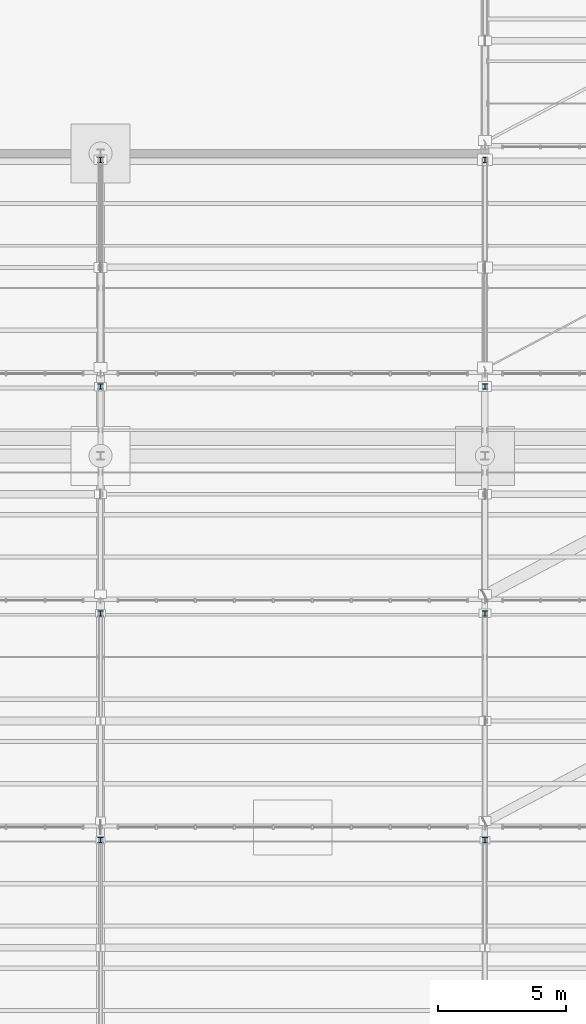
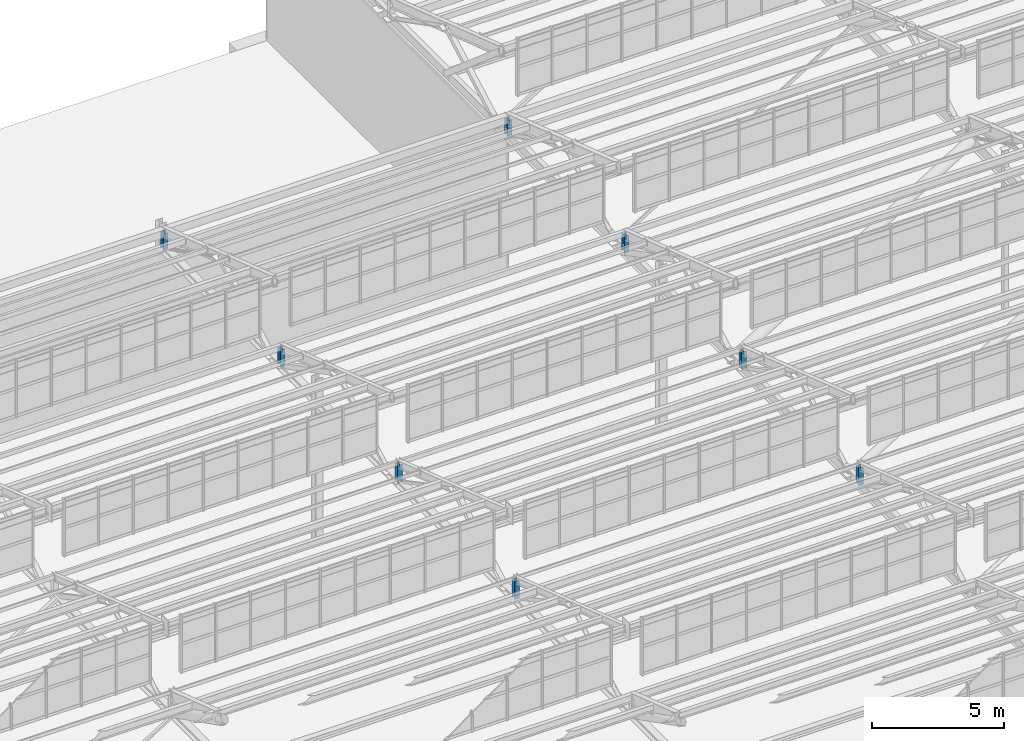
# One storey, part 151 of 285: 8 members.
"""IFC4 building model written with IfcOpenShell, lengths in metres."""

from ifc_helpers import new_model, si_unit, direction, frame, origin, origin_2d, place, context, subcontext, project, spatial, i_section, extrude, material, material_profile, profile_set, type_object, element, save


model = new_model("IFC4")

# Units and contexts
model_context = context("Model", 3, precision=1e-05, world=origin(), true_north=direction((0.0, 1.0)))
body_context = subcontext(model_context, "Body", "Model", "MODEL_VIEW")
ifc_project = project(units=[si_unit("LENGTHUNIT", "METRE"), si_unit("AREAUNIT", "SQUARE_METRE"), si_unit("VOLUMEUNIT", "CUBIC_METRE"), si_unit("PLANEANGLEUNIT", "RADIAN"), si_unit("MASSUNIT", "GRAM", prefix="KILO")], contexts=[model_context])

# Site, building, storey
site_placement = place(None, origin())
site = spatial("IfcSite", under=ifc_project, at=site_placement, CompositionType="ELEMENT")
building_placement = place(site_placement, origin())
building = spatial("IfcBuilding", under=site, at=building_placement, Name="Solanera Park Tramway Depot", CompositionType="ELEMENT")
storey_placement = place(building_placement, origin())
storey = spatial("IfcBuildingStorey", under=building, at=storey_placement, Name="L00", CompositionType="ELEMENT", Elevation=0.0)

# Members
ifc_material = material(Name="Steel AS/NZS 3679.1 Grade 350", Category="steel")
ifc_material_profile = material_profile(ifc_material, i_section(OverallWidth=0.205078125, OverallDepth=0.209716796875, WebThickness=0.00927734375, FlangeThickness=0.01416015625, at=origin_2d()), Name="200UC59.5")
ifc_profile_set = profile_set([ifc_material_profile], Name="Steel AS/NZS 3679.1 Grade 350")
member_type = type_object("IfcMemberType", Name="Roof Gantry Compression Strut 200UC59.5", PredefinedType="STRUT", material=ifc_profile_set)
member_1_placement = place(storey_placement, frame((75.0, 99.5, 6.5), z_axis=(0.0, 0.0, 1.0), x_axis=(1.0, 0.0, 0.0)))
element("IfcMember", 1, at=member_1_placement, inside=storey, type_object=member_type, Name="Sawtooth ROOF TRUSS Valley Post 200UC59.5 #0046", PredefinedType="STRUT", context=body_context, shape_type="SweptSolid", body=[
    extrude(i_section(OverallWidth=0.205078125, OverallDepth=0.209716796875, WebThickness=0.00927734375, FlangeThickness=0.01416015625, at=origin_2d()), origin(), (0.0, 0.0, 1.0), 0.83740234375),
])
for number, where, z_axis, x_axis, name in (
    (2, (90.0, 99.5, 6.5), (0.0, 0.0, 1.0), (1.0, 0.0, 0.0), "Sawtooth ROOF TRUSS Valley Post 200UC59.5 #0047"),
    (3, (75.0, 108.35009765625, 6.5), (0.0, 0.0, 1.0), (1.0, 0.0, 0.0), "Sawtooth ROOF TRUSS Valley Post 200UC59.5 #0057"),
):
    element("IfcMember", number, at=place(storey_placement, frame(where, z_axis=z_axis, x_axis=x_axis)), inside=storey, type_object=member_type, Name=name, PredefinedType="STRUT", context=body_context, shape_type="SweptSolid", body=[
        extrude(i_section(OverallWidth=0.205078125, OverallDepth=0.209716796875, WebThickness=0.00927734375, FlangeThickness=0.01416015625, at=origin_2d()), origin(), (0.0, 0.0, 1.0), 0.81298828125),
    ])
for number, where, z_axis, x_axis, name in (
    (4, (90.0, 108.35009765625, 6.5), (0.0, 0.0, 1.0), (1.0, 0.0, 0.0), "Sawtooth ROOF TRUSS Valley Post 200UC59.5 #0058"),
    (5, (75.0, 117.199951171875, 6.5), (0.0, 0.0, 1.0), (1.0, 0.0, 0.0), "Sawtooth ROOF TRUSS Valley Post 200UC59.5 #0068"),
):
    element("IfcMember", number, at=place(storey_placement, frame(where, z_axis=z_axis, x_axis=x_axis)), inside=storey, type_object=member_type, Name=name, PredefinedType="STRUT", context=body_context, shape_type="SweptSolid", body=[
        extrude(i_section(OverallWidth=0.205078125, OverallDepth=0.209716796875, WebThickness=0.00927734375, FlangeThickness=0.01416015625, at=origin_2d()), origin(), (0.0, 0.0, 1.0), 0.78759765625),
    ])
for number, where, z_axis, x_axis, name in (
    (6, (90.0, 117.199951171875, 6.5), (0.0, 0.0, 1.0), (1.0, 0.0, 0.0), "Sawtooth ROOF TRUSS Valley Post 200UC59.5 #0069"),
    (7, (75.0, 126.050048828125, 6.5), (0.0, 0.0, 1.0), (1.0, 0.0, 0.0), "Sawtooth ROOF TRUSS Valley Post 200UC59.5 #0079"),
):
    element("IfcMember", number, at=place(storey_placement, frame(where, z_axis=z_axis, x_axis=x_axis)), inside=storey, type_object=member_type, Name=name, PredefinedType="STRUT", context=body_context, shape_type="SweptSolid", body=[
        extrude(i_section(OverallWidth=0.205078125, OverallDepth=0.209716796875, WebThickness=0.00927734375, FlangeThickness=0.01416015625, at=origin_2d()), origin(), (0.0, 0.0, 1.0), 0.76220703125),
    ])
member_2_placement = place(storey_placement, frame((90.0, 126.050048828125, 6.5), z_axis=(0.0, 0.0, 1.0), x_axis=(1.0, 0.0, 0.0)))
element("IfcMember", 8, at=member_2_placement, inside=storey, type_object=member_type, Name="Sawtooth ROOF TRUSS Valley Post 200UC59.5 #0080", PredefinedType="STRUT", context=body_context, shape_type="SweptSolid", body=[
    extrude(i_section(OverallWidth=0.205078125, OverallDepth=0.209716796875, WebThickness=0.00927734375, FlangeThickness=0.01416015625, at=origin_2d()), origin(), (0.0, 0.0, 1.0), 0.724365234375),
])

save(model, "model.ifc")
